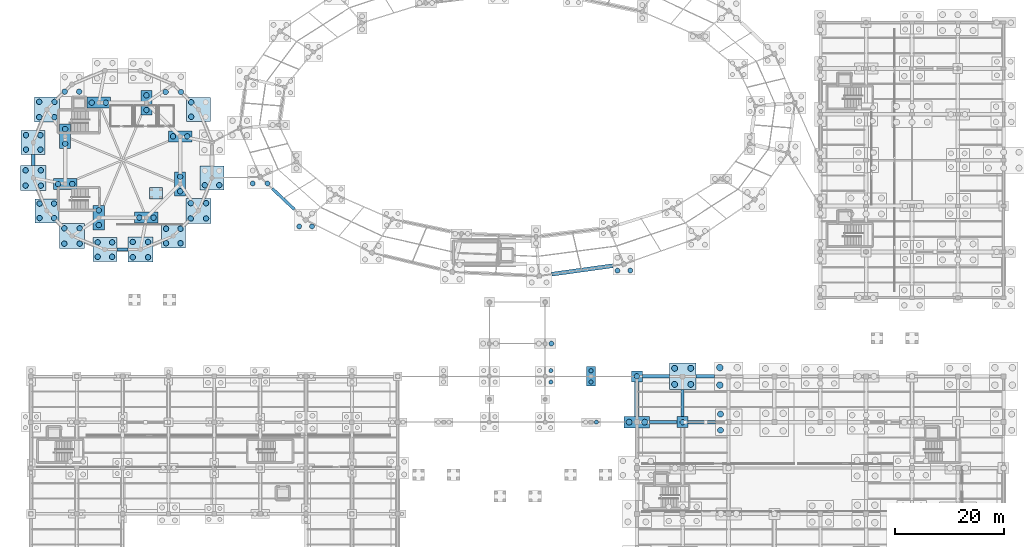
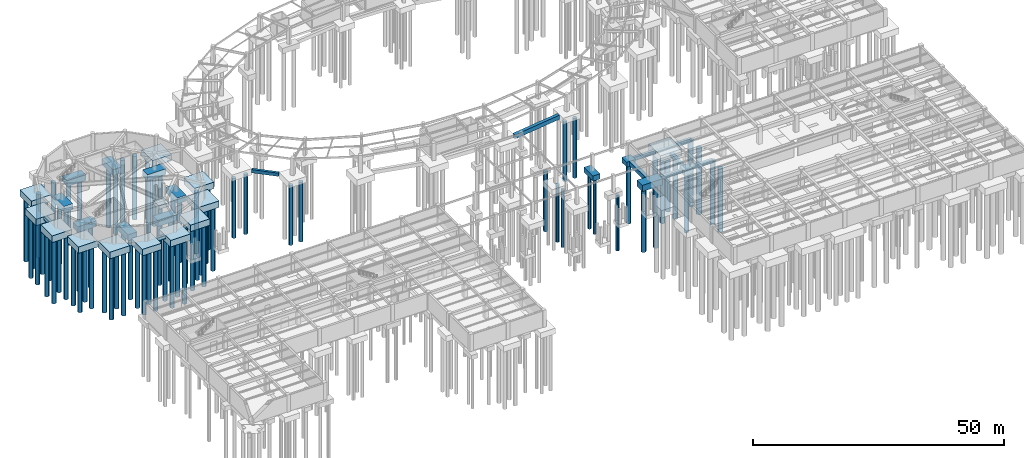
# One storey, part 4 of 38: 84 piles, 35 footings.
"""IFC4 building model written with IfcOpenShell, lengths in metres."""

from ifc_helpers import new_model, si_unit, direction, frame, origin, origin_2d, place, context, subcontext, project, spatial, polyline, rectangle, circle, outline, extrude, material, material_profile, profile_set, type_object, element, save


model = new_model("IFC4")

# Units and contexts
model_context = context("Model", 3, precision=1e-05, world=origin(), true_north=direction((0.0, 1.0)))
body_context = subcontext(model_context, "Body", "Model", "MODEL_VIEW")
ifc_project = project(units=[si_unit("LENGTHUNIT", "METRE"), si_unit("AREAUNIT", "SQUARE_METRE"), si_unit("VOLUMEUNIT", "CUBIC_METRE"), si_unit("PLANEANGLEUNIT", "RADIAN"), si_unit("MASSUNIT", "GRAM", prefix="KILO"), si_unit("THERMODYNAMICTEMPERATUREUNIT", "KELVIN"), si_unit("POWERUNIT", "WATT")], contexts=[model_context])

# Site, building, storey
site_placement = place(None, origin())
site = spatial("IfcSite", under=ifc_project, at=site_placement, CompositionType="ELEMENT")
building_placement = place(site_placement, origin())
building = spatial("IfcBuilding", under=site, at=building_placement, Name="Darbajah Civic Hall", CompositionType="ELEMENT")
storey_placement = place(building_placement, frame((0.0, 0.0, -4.199951171875)))
storey = spatial("IfcBuildingStorey", under=building, at=storey_placement, Name="B01", CompositionType="ELEMENT", Elevation=-4.199951171875)

# Piles
ifc_material = material(Name="Concrete C45/55", Category="concrete")
ifc_material_profile_1 = material_profile(ifc_material, circle(Radius=0.5, at=origin_2d()), Name="BORED PILE D1000")
ifc_profile_set_1 = profile_set([ifc_material_profile_1], Name="Concrete C45/55")
pile_type_1 = type_object("IfcPileType", Name="BORED PILE D1000", PredefinedType="BORED", material=ifc_profile_set_1)
for number, where, z_axis, x_axis, name in (
    (1, (29.361328125, 89.553466796875, -1.449951171875), (0.0, 0.0, -1.0), (1.0, 0.0, 0.0), "B01 bored pile P-1000 V2D-01-1"),
    (2, (29.361328125, 92.20361328125, -1.449951171875), (0.0, 0.0, -1.0), (1.0, 0.0, 0.0), "B01 bored pile P-1000 V2D-01-3"),
):
    element("IfcPile", number, at=place(storey_placement, frame(where, z_axis=z_axis, x_axis=x_axis)), inside=storey, type_object=pile_type_1, Name=name, PredefinedType="BORED", context=body_context, shape_type="SweptSolid", body=[
        extrude(circle(Radius=0.5, at=origin_2d()), origin(), (0.0, 0.0, 1.0), 15.0),
    ])
for number, where, z_axis, x_axis, name in (
    (3, (24.678466796875, 94.086181640625, -1.5), (0.0, 0.0, -1.0), (1.0, 0.0, 0.0), "B01 bored pile P-1000 V2D-02-1"),
    (4, (27.478515625, 94.086181640625, -1.5), (0.0, 0.0, -1.0), (1.0, 0.0, 0.0), "B01 bored pile P-1000 V2D-02-2"),
):
    element("IfcPile", number, at=place(storey_placement, frame(where, z_axis=z_axis, x_axis=x_axis)), inside=storey, type_object=pile_type_1, Name=name, PredefinedType="BORED", context=body_context, shape_type="SweptSolid", body=[
        extrude(circle(Radius=0.5, at=origin_2d()), origin(), (0.0, 0.0, 1.0), 15.5),
    ])
for number, where, z_axis, x_axis, name in (
    (5, (6.196533203125, 94.161376953125, -1.449951171875), (0.0, 0.0, -1.0), (1.0, 0.0, 0.0), "B01 bored pile P-1000 V2D-05-1"),
    (6, (8.846435546875, 94.161376953125, -1.449951171875), (0.0, 0.0, -1.0), (1.0, 0.0, 0.0), "B01 bored pile P-1000 V2D-05-2"),
):
    element("IfcPile", number, at=place(storey_placement, frame(where, z_axis=z_axis, x_axis=x_axis)), inside=storey, type_object=pile_type_1, Name=name, PredefinedType="BORED", context=body_context, shape_type="SweptSolid", body=[
        extrude(circle(Radius=0.5, at=origin_2d()), origin(), (0.0, 0.0, 1.0), 15.0),
    ])
for number, where, z_axis, x_axis, name in (
    (7, (1.513671875, 89.478515625, -1.5), (0.0, 0.0, -1.0), (1.0, 0.0, 0.0), "B01 bored pile P-1000 V2D-06-1"),
    (8, (4.313720703125, 89.478515625, -1.5), (0.0, 0.0, -1.0), (1.0, 0.0, 0.0), "B01 bored pile P-1000 V2D-06-2"),
    (9, (1.513671875, 92.278564453125, -1.5), (0.0, 0.0, -1.0), (1.0, 0.0, 0.0), "B01 bored pile P-1000 V2D-06-3"),
    (10, (4.313720703125, 92.278564453125, -1.5), (0.0, 0.0, -1.0), (1.0, 0.0, 0.0), "B01 bored pile P-1000 V2D-06-4"),
):
    element("IfcPile", number, at=place(storey_placement, frame(where, z_axis=z_axis, x_axis=x_axis)), inside=storey, type_object=pile_type_1, Name=name, PredefinedType="BORED", context=body_context, shape_type="SweptSolid", body=[
        extrude(circle(Radius=0.5, at=origin_2d()), origin(), (0.0, 0.0, 1.0), 15.5),
    ])
for number, where, z_axis, x_axis, name in (
    (11, (-0.905029296875, 83.533203125, -1.449951171875), (0.0, 0.0, -1.0), (1.0, 0.0, 0.0), "B01 bored pile P-1000 V2D-07-1"),
    (12, (1.7451171875, 83.533203125, -1.449951171875), (0.0, 0.0, -1.0), (1.0, 0.0, 0.0), "B01 bored pile P-1000 V2D-07-2"),
    (13, (-0.905029296875, 86.18310546875, -1.449951171875), (0.0, 0.0, -1.0), (1.0, 0.0, 0.0), "B01 bored pile P-1000 V2D-07-3"),
    (14, (1.7451171875, 86.18310546875, -1.449951171875), (0.0, 0.0, -1.0), (1.0, 0.0, 0.0), "B01 bored pile P-1000 V2D-07-4"),
):
    element("IfcPile", number, at=place(storey_placement, frame(where, z_axis=z_axis, x_axis=x_axis)), inside=storey, type_object=pile_type_1, Name=name, PredefinedType="BORED", context=body_context, shape_type="SweptSolid", body=[
        extrude(circle(Radius=0.5, at=origin_2d()), origin(), (0.0, 0.0, 1.0), 15.0),
    ])
for number, where, z_axis, x_axis, name in (
    (15, (-0.97998046875, 76.94189453125, -1.5), (0.0, 0.0, -1.0), (1.0, 0.0, 0.0), "B01 bored pile P-1000 V2D-08-1"),
    (16, (1.820068359375, 76.94189453125, -1.5), (0.0, 0.0, -1.0), (1.0, 0.0, 0.0), "B01 bored pile P-1000 V2D-08-2"),
    (17, (-0.97998046875, 79.74169921875, -1.5), (0.0, 0.0, -1.0), (1.0, 0.0, 0.0), "B01 bored pile P-1000 V2D-08-3"),
    (18, (1.820068359375, 79.74169921875, -1.5), (0.0, 0.0, -1.0), (1.0, 0.0, 0.0), "B01 bored pile P-1000 V2D-08-4"),
):
    element("IfcPile", number, at=place(storey_placement, frame(where, z_axis=z_axis, x_axis=x_axis)), inside=storey, type_object=pile_type_1, Name=name, PredefinedType="BORED", context=body_context, shape_type="SweptSolid", body=[
        extrude(circle(Radius=0.5, at=origin_2d()), origin(), (0.0, 0.0, 1.0), 15.5),
    ])
for number, where, z_axis, x_axis, name in (
    (19, (1.588623046875, 70.99658203125, -1.449951171875), (0.0, 0.0, -1.0), (1.0, 0.0, 0.0), "B01 bored pile P-1000 V2D-09-1"),
    (20, (4.23876953125, 70.99658203125, -1.449951171875), (0.0, 0.0, -1.0), (1.0, 0.0, 0.0), "B01 bored pile P-1000 V2D-09-2"),
    (21, (1.588623046875, 73.646484375, -1.449951171875), (0.0, 0.0, -1.0), (1.0, 0.0, 0.0), "B01 bored pile P-1000 V2D-09-3"),
    (22, (4.23876953125, 73.646484375, -1.449951171875), (0.0, 0.0, -1.0), (1.0, 0.0, 0.0), "B01 bored pile P-1000 V2D-09-4"),
):
    element("IfcPile", number, at=place(storey_placement, frame(where, z_axis=z_axis, x_axis=x_axis)), inside=storey, type_object=pile_type_1, Name=name, PredefinedType="BORED", context=body_context, shape_type="SweptSolid", body=[
        extrude(circle(Radius=0.5, at=origin_2d()), origin(), (0.0, 0.0, 1.0), 15.0),
    ])
for number, where, z_axis, x_axis, name in (
    (23, (6.12158203125, 66.313720703125, -1.5), (0.0, 0.0, -1.0), (1.0, 0.0, 0.0), "B01 bored pile P-1000 V2D-10-1"),
    (24, (8.92138671875, 66.313720703125, -1.5), (0.0, 0.0, -1.0), (1.0, 0.0, 0.0), "B01 bored pile P-1000 V2D-10-2"),
    (25, (6.12158203125, 69.11376953125, -1.5), (0.0, 0.0, -1.0), (1.0, 0.0, 0.0), "B01 bored pile P-1000 V2D-10-3"),
    (26, (8.92138671875, 69.11376953125, -1.5), (0.0, 0.0, -1.0), (1.0, 0.0, 0.0), "B01 bored pile P-1000 V2D-10-4"),
):
    element("IfcPile", number, at=place(storey_placement, frame(where, z_axis=z_axis, x_axis=x_axis)), inside=storey, type_object=pile_type_1, Name=name, PredefinedType="BORED", context=body_context, shape_type="SweptSolid", body=[
        extrude(circle(Radius=0.5, at=origin_2d()), origin(), (0.0, 0.0, 1.0), 15.5),
    ])
for number, where, z_axis, x_axis, name in (
    (27, (12.216796875, 63.89501953125, -1.449951171875), (0.0, 0.0, -1.0), (1.0, 0.0, 0.0), "B01 bored pile P-1000 V2D-11-1"),
    (28, (14.86669921875, 63.89501953125, -1.449951171875), (0.0, 0.0, -1.0), (1.0, 0.0, 0.0), "B01 bored pile P-1000 V2D-11-2"),
    (29, (12.216796875, 66.544921875, -1.449951171875), (0.0, 0.0, -1.0), (1.0, 0.0, 0.0), "B01 bored pile P-1000 V2D-11-3"),
    (30, (14.86669921875, 66.544921875, -1.449951171875), (0.0, 0.0, -1.0), (1.0, 0.0, 0.0), "B01 bored pile P-1000 V2D-11-4"),
):
    element("IfcPile", number, at=place(storey_placement, frame(where, z_axis=z_axis, x_axis=x_axis)), inside=storey, type_object=pile_type_1, Name=name, PredefinedType="BORED", context=body_context, shape_type="SweptSolid", body=[
        extrude(circle(Radius=0.5, at=origin_2d()), origin(), (0.0, 0.0, 1.0), 15.0),
    ])
for number, where, z_axis, x_axis, name in (
    (31, (18.658203125, 63.820068359375, -1.5), (0.0, 0.0, -1.0), (1.0, 0.0, 0.0), "B01 bored pile P-1000 V2D-12-1"),
    (32, (21.458251953125, 63.820068359375, -1.5), (0.0, 0.0, -1.0), (1.0, 0.0, 0.0), "B01 bored pile P-1000 V2D-12-2"),
    (33, (18.658203125, 66.6201171875, -1.5), (0.0, 0.0, -1.0), (1.0, 0.0, 0.0), "B01 bored pile P-1000 V2D-12-3"),
    (34, (21.458251953125, 66.6201171875, -1.5), (0.0, 0.0, -1.0), (1.0, 0.0, 0.0), "B01 bored pile P-1000 V2D-12-4"),
):
    element("IfcPile", number, at=place(storey_placement, frame(where, z_axis=z_axis, x_axis=x_axis)), inside=storey, type_object=pile_type_1, Name=name, PredefinedType="BORED", context=body_context, shape_type="SweptSolid", body=[
        extrude(circle(Radius=0.5, at=origin_2d()), origin(), (0.0, 0.0, 1.0), 15.5),
    ])
for number, where, z_axis, x_axis, name in (
    (35, (24.75341796875, 66.388671875, -1.449951171875), (0.0, 0.0, -1.0), (1.0, 0.0, 0.0), "B01 bored pile P-1000 V2D-13-1"),
    (36, (27.403564453125, 66.388671875, -1.449951171875), (0.0, 0.0, -1.0), (1.0, 0.0, 0.0), "B01 bored pile P-1000 V2D-13-2"),
    (37, (24.75341796875, 69.038818359375, -1.449951171875), (0.0, 0.0, -1.0), (1.0, 0.0, 0.0), "B01 bored pile P-1000 V2D-13-3"),
    (38, (27.403564453125, 69.038818359375, -1.449951171875), (0.0, 0.0, -1.0), (1.0, 0.0, 0.0), "B01 bored pile P-1000 V2D-13-4"),
):
    element("IfcPile", number, at=place(storey_placement, frame(where, z_axis=z_axis, x_axis=x_axis)), inside=storey, type_object=pile_type_1, Name=name, PredefinedType="BORED", context=body_context, shape_type="SweptSolid", body=[
        extrude(circle(Radius=0.5, at=origin_2d()), origin(), (0.0, 0.0, 1.0), 15.0),
    ])
for number, where, z_axis, x_axis, name in (
    (39, (29.286376953125, 70.92138671875, -1.5), (0.0, 0.0, -1.0), (1.0, 0.0, 0.0), "B01 bored pile P-1000 V2D-14-1"),
    (40, (32.086181640625, 70.92138671875, -1.5), (0.0, 0.0, -1.0), (1.0, 0.0, 0.0), "B01 bored pile P-1000 V2D-14-2"),
    (41, (29.286376953125, 73.721435546875, -1.5), (0.0, 0.0, -1.0), (1.0, 0.0, 0.0), "B01 bored pile P-1000 V2D-14-3"),
    (42, (32.086181640625, 73.721435546875, -1.5), (0.0, 0.0, -1.0), (1.0, 0.0, 0.0), "B01 bored pile P-1000 V2D-14-4"),
):
    element("IfcPile", number, at=place(storey_placement, frame(where, z_axis=z_axis, x_axis=x_axis)), inside=storey, type_object=pile_type_1, Name=name, PredefinedType="BORED", context=body_context, shape_type="SweptSolid", body=[
        extrude(circle(Radius=0.5, at=origin_2d()), origin(), (0.0, 0.0, 1.0), 15.5),
    ])
for number, where, z_axis, x_axis, name in (
    (43, (31.85498046875, 77.016845703125, -1.449951171875), (0.0, 0.0, -1.0), (1.0, 0.0, 0.0), "B01 bored pile P-1000 V2D-15-1"),
    (44, (34.5048828125, 77.016845703125, -1.449951171875), (0.0, 0.0, -1.0), (1.0, 0.0, 0.0), "B01 bored pile P-1000 V2D-15-2"),
    (45, (26.0322265625, 85.962646484375, -1.300048828125), (0.0, 0.0, -1.0), (1.0, 0.0, 0.0), "B01 bored pile P-1000 V2G-00-1"),
    (46, (28.632080078125, 85.962646484375, -1.300048828125), (0.0, 0.0, -1.0), (1.0, 0.0, 0.0), "B01 bored pile P-1000 V2G-00-2"),
    (47, (21.16259765625, 90.7822265625, -1.35009765625), (0.0, 0.0, -1.0), (1.0, 0.0, 0.0), "B01 bored pile P-1000 V2G-01-1"),
    (48, (21.16259765625, 93.482177734375, -1.35009765625), (0.0, 0.0, -1.0), (1.0, 0.0, 0.0), "B01 bored pile P-1000 V2G-01-2"),
    (49, (11.137451171875, 92.132080078125, -1.300048828125), (0.0, 0.0, -1.0), (1.0, 0.0, 0.0), "B01 bored pile P-1000 V2G-02-1"),
    (50, (13.7373046875, 92.132080078125, -1.300048828125), (0.0, 0.0, -1.0), (1.0, 0.0, 0.0), "B01 bored pile P-1000 V2G-02-2"),
    (51, (6.267822265625, 84.612548828125, -1.35009765625), (0.0, 0.0, -1.0), (1.0, 0.0, 0.0), "B01 bored pile P-1000 V2G-03-1"),
    (52, (6.267822265625, 87.3125, -1.35009765625), (0.0, 0.0, -1.0), (1.0, 0.0, 0.0), "B01 bored pile P-1000 V2G-03-2"),
    (53, (4.9677734375, 77.2373046875, -1.300048828125), (0.0, 0.0, -1.0), (1.0, 0.0, 0.0), "B01 bored pile P-1000 V2G-04-1"),
    (54, (7.56787109375, 77.2373046875, -1.300048828125), (0.0, 0.0, -1.0), (1.0, 0.0, 0.0), "B01 bored pile P-1000 V2G-04-2"),
    (55, (12.4375, 69.7177734375, -1.35009765625), (0.0, 0.0, -1.0), (1.0, 0.0, 0.0), "B01 bored pile P-1000 V2G-05-1"),
    (56, (12.4375, 72.417724609375, -1.35009765625), (0.0, 0.0, -1.0), (1.0, 0.0, 0.0), "B01 bored pile P-1000 V2G-05-2"),
    (57, (19.862548828125, 71.06787109375, -1.300048828125), (0.0, 0.0, -1.0), (1.0, 0.0, 0.0), "B01 bored pile P-1000 V2G-06-1"),
    (58, (22.462646484375, 71.06787109375, -1.300048828125), (0.0, 0.0, -1.0), (1.0, 0.0, 0.0), "B01 bored pile P-1000 V2G-06-2"),
    (59, (27.332275390625, 75.887451171875, -1.35009765625), (0.0, 0.0, -1.0), (1.0, 0.0, 0.0), "B01 bored pile P-1000 V2G-07-1"),
    (60, (27.332275390625, 78.58740234375, -1.35009765625), (0.0, 0.0, -1.0), (1.0, 0.0, 0.0), "B01 bored pile P-1000 V2G-07-2"),
):
    element("IfcPile", number, at=place(storey_placement, frame(where, z_axis=z_axis, x_axis=x_axis)), inside=storey, type_object=pile_type_1, Name=name, PredefinedType="BORED", context=body_context, shape_type="SweptSolid", body=[
        extrude(circle(Radius=0.5, at=origin_2d()), origin(), (0.0, 0.0, 1.0), 15.0),
    ])
for number, where, z_axis, x_axis, name in (
    (61, (111.0, 42.0, -1.10009765625), (0.0, 0.0, -1.0), (1.0, 0.0, 0.0), "B01 bored pile P-1000 V3-00-05-1"),
    (62, (119.39990234375, 33.60009765625, -1.10009765625), (0.0, 0.0, -1.0), (1.0, 0.0, 0.0), "B01 bored pile P-1000 V3-01-04-1"),
):
    element("IfcPile", number, at=place(storey_placement, frame(where, z_axis=z_axis, x_axis=x_axis)), inside=storey, type_object=pile_type_1, Name=name, PredefinedType="BORED", context=body_context, shape_type="SweptSolid", body=[
        extrude(circle(Radius=0.5, at=origin_2d()), origin(), (0.0, 0.0, 1.0), 14.5),
    ])
ifc_material_profile_2 = material_profile(ifc_material, circle(Radius=0.550048828125, at=origin_2d()), Name="BORED PILE D1100")
ifc_profile_set_2 = profile_set([ifc_material_profile_2], Name="Concrete C45/55")
pile_type_2 = type_object("IfcPileType", Name="BORED PILE D1100", PredefinedType="BORED", material=ifc_profile_set_2)
for number, where, z_axis, x_axis, name in (
    (63, (109.574951171875, 33.60009765625, -1.400146484375), (0.0, 0.0, -1.0), (1.0, 0.0, 0.0), "B01 bored pile P-1100 V3-00-04-1"),
    (64, (112.425048828125, 33.60009765625, -1.400146484375), (0.0, 0.0, -1.0), (1.0, 0.0, 0.0), "B01 bored pile P-1100 V3-00-04-2"),
    (65, (117.925048828125, 40.52490234375, -1.550048828125), (0.0, 0.0, -1.0), (1.0, 0.0, 0.0), "B01 bored pile P-1100 V3-01-05-1"),
    (66, (120.875, 40.52490234375, -1.550048828125), (0.0, 0.0, -1.0), (1.0, 0.0, 0.0), "B01 bored pile P-1100 V3-01-05-2"),
    (67, (117.925048828125, 43.47509765625, -1.550048828125), (0.0, 0.0, -1.0), (1.0, 0.0, 0.0), "B01 bored pile P-1100 V3-01-05-3"),
    (68, (120.875, 43.47509765625, -1.550048828125), (0.0, 0.0, -1.0), (1.0, 0.0, 0.0), "B01 bored pile P-1100 V3-01-05-4"),
    (69, (126.324951171875, 32.125, -1.550048828125), (0.0, 0.0, -1.0), (1.0, 0.0, 0.0), "B01 bored pile P-1100 V3-02-04-1"),
    (70, (126.324951171875, 35.074951171875, -1.550048828125), (0.0, 0.0, -1.0), (1.0, 0.0, 0.0), "B01 bored pile P-1100 V3-02-04-3"),
):
    element("IfcPile", number, at=place(storey_placement, frame(where, z_axis=z_axis, x_axis=x_axis)), inside=storey, type_object=pile_type_2, Name=name, PredefinedType="BORED", context=body_context, shape_type="SweptSolid", body=[
        extrude(circle(Radius=0.550048828125, at=origin_2d()), origin(), (0.0, 0.0, 1.0), 15.5),
    ])
ifc_material_profile_3 = material_profile(ifc_material, circle(Radius=0.60009765625, at=origin_2d()), Name="BORED PILE D1200")
ifc_profile_set_3 = profile_set([ifc_material_profile_3], Name="Concrete C45/55")
pile_type_3 = type_object("IfcPileType", Name="BORED PILE D1200", PredefinedType="BORED", material=ifc_profile_set_3)
for number, where, z_axis, x_axis, name in (
    (71, (126.199951171875, 40.39990234375, -1.650146484375), (0.0, 0.0, -1.0), (1.0, 0.0, 0.0), "B01 bored pile P-1200 V3-02-05-1"),
    (72, (126.199951171875, 43.60009765625, -1.650146484375), (0.0, 0.0, -1.0), (1.0, 0.0, 0.0), "B01 bored pile P-1200 V3-02-05-3"),
):
    element("IfcPile", number, at=place(storey_placement, frame(where, z_axis=z_axis, x_axis=x_axis)), inside=storey, type_object=pile_type_3, Name=name, PredefinedType="BORED", context=body_context, shape_type="SweptSolid", body=[
        extrude(circle(Radius=0.60009765625, at=origin_2d()), origin(), (0.0, 0.0, 1.0), 16.0),
    ])
ifc_material_profile_4 = material_profile(ifc_material, circle(Radius=0.375, at=origin_2d()), Name="BORED PILE D750")
ifc_profile_set_4 = profile_set([ifc_material_profile_4], Name="Concrete C45/55")
pile_type_4 = type_object("IfcPileType", Name="BORED PILE D750", PredefinedType="BORED", material=ifc_profile_set_4)
for number, where, z_axis, x_axis, name in (
    (73, (95.25, 40.949951171875, -1.300048828125), (0.0, 0.0, -1.0), (1.0, 0.0, 0.0), "B01 bored pile P-750 V6S-08-2"),
    (74, (95.25, 43.050048828125, -1.300048828125), (0.0, 0.0, -1.0), (1.0, 0.0, 0.0), "B01 bored pile P-750 V6S-08-4"),
):
    element("IfcPile", number, at=place(storey_placement, frame(where, z_axis=z_axis, x_axis=x_axis)), inside=storey, type_object=pile_type_4, Name=name, PredefinedType="BORED", context=body_context, shape_type="SweptSolid", body=[
        extrude(circle(Radius=0.375, at=origin_2d()), origin(), (0.0, 0.0, 1.0), 14.0),
    ])
for number, where, z_axis, x_axis, name in (
    (75, (103.574951171875, 33.60009765625, -1.10009765625), (0.0, 0.0, -1.0), (1.0, 0.0, 0.0), "B01 bored pile P-750 V6S-11-2"),
    (76, (102.60009765625, 40.97509765625, -1.150146484375), (0.0, 0.0, -1.0), (1.0, 0.0, 0.0), "B01 bored pile P-750 V6S-12-1"),
    (77, (102.60009765625, 43.02490234375, -1.150146484375), (0.0, 0.0, -1.0), (1.0, 0.0, 0.0), "B01 bored pile P-750 V6S-12-2"),
):
    element("IfcPile", number, at=place(storey_placement, frame(where, z_axis=z_axis, x_axis=x_axis)), inside=storey, type_object=pile_type_4, Name=name, PredefinedType="BORED", context=body_context, shape_type="SweptSolid", body=[
        extrude(circle(Radius=0.375, at=origin_2d()), origin(), (0.0, 0.0, 1.0), 13.5),
    ])
ifc_material_profile_5 = material_profile(ifc_material, circle(Radius=0.449951171875, at=origin_2d()), Name="BORED PILE D900")
ifc_profile_set_5 = profile_set([ifc_material_profile_5], Name="Concrete C45/55")
pile_type_5 = type_object("IfcPileType", Name="BORED PILE D900", PredefinedType="BORED", material=ifc_profile_set_5)
for number, where, z_axis, x_axis, name in (
    (78, (40.632080078125, 77.335693359375, -1.420166015625), (0.0, 0.0, -1.0), (1.0, 0.0, 0.0), "B01 bored pile P-900 V1O-11-1"),
    (79, (43.33203125, 77.335693359375, -1.420166015625), (0.0, 0.0, -1.0), (1.0, 0.0, 0.0), "B01 bored pile P-900 V1O-11-2"),
    (80, (49.144287109375, 69.46630859375, -1.35009765625), (0.0, 0.0, -1.0), (1.0, 0.0, 0.0), "B01 bored pile P-900 V1O-12-1"),
    (81, (51.494384765625, 69.46630859375, -1.35009765625), (0.0, 0.0, -1.0), (1.0, 0.0, 0.0), "B01 bored pile P-900 V1O-12-2"),
    (82, (107.44189453125, 61.37060546875, -1.35009765625), (0.0, 0.0, -1.0), (1.0, 0.0, 0.0), "B01 bored pile P-900 V1O-16-1"),
    (83, (109.7919921875, 61.37060546875, -1.35009765625), (0.0, 0.0, -1.0), (1.0, 0.0, 0.0), "B01 bored pile P-900 V1O-16-2"),
    (84, (95.35009765625, 48.0, -1.199951171875), (0.0, 0.0, -1.0), (1.0, 0.0, 0.0), "B01 bored pile P-900 V6S-09-2"),
):
    element("IfcPile", number, at=place(storey_placement, frame(where, z_axis=z_axis, x_axis=x_axis)), inside=storey, type_object=pile_type_5, Name=name, PredefinedType="BORED", context=body_context, shape_type="SweptSolid", body=[
        extrude(circle(Radius=0.449951171875, at=origin_2d()), origin(), (0.0, 0.0, 1.0), 14.5),
    ])

# Footings
footing_type_1 = type_object("IfcFootingType", Name="Ground Strip Footing 550x800", PredefinedType="STRIP_FOOTING", material=ifc_material)
footing_1_placement = place(storey_placement, frame((0.0, 0.0, -0.800048828125)))
element("IfcFooting", 85, at=footing_1_placement, inside=storey, type_object=footing_type_1, Name="B01 ground strip footing SF-06", PredefinedType="STRIP_FOOTING", context=body_context, shape_type="SweptSolid", body=[
    extrude(outline(polyline([(44.035888671875, 76.194091796875), (48.07080078125, 72.385498046875), (48.448486328125, 72.785400390625), (44.413330078125, 76.593994140625), (44.035888671875, 76.194091796875)])), origin(), (0.0, 0.0, 1.0), 0.800048828125),
])
footing_2_placement = place(storey_placement, frame((0.0, 0.0, -0.800048828125)))
element("IfcFooting", 86, at=footing_2_placement, inside=storey, type_object=footing_type_1, Name="B01 ground strip footing SF-06", PredefinedType="STRIP_FOOTING", context=body_context, shape_type="SweptSolid", body=[
    extrude(outline(polyline([(15.746826171875, 64.945068359375), (17.753173828125, 64.945068359375), (17.753173828125, 65.4951171875), (15.746826171875, 65.4951171875), (15.746826171875, 64.945068359375)])), origin(), (0.0, 0.0, 1.0), 0.800048828125),
])
footing_3_placement = place(storey_placement, frame((0.0, 0.0, -0.800048828125)))
element("IfcFooting", 87, at=footing_3_placement, inside=storey, type_object=footing_type_1, Name="B01 ground strip footing SF-06", PredefinedType="STRIP_FOOTING", context=body_context, shape_type="SweptSolid", body=[
    extrude(outline(polyline([(119.675048828125, 34.60498046875), (119.675048828125, 39.570068359375), (119.125, 39.570068359375), (119.125, 34.60498046875), (119.675048828125, 34.60498046875)])), origin(), (0.0, 0.0, 1.0), 0.800048828125),
])
footing_4_placement = place(storey_placement, frame((0.0, 0.0, -0.800048828125)))
element("IfcFooting", 88, at=footing_4_placement, inside=storey, type_object=footing_type_1, Name="B01 ground strip footing SF-06", PredefinedType="STRIP_FOOTING", context=body_context, shape_type="SweptSolid", body=[
    extrude(outline(polyline([(113.330078125, 33.324951171875), (118.39501953125, 33.324951171875), (118.39501953125, 33.875), (113.330078125, 33.875), (113.330078125, 33.324951171875)])), origin(), (0.0, 0.0, 1.0), 0.800048828125),
])
footing_5_placement = place(storey_placement, frame((0.0, 0.0, -0.85009765625)))
element("IfcFooting", 89, at=footing_5_placement, inside=storey, type_object=footing_type_1, Name="B01 ramp RMP-DAIS TOP foundation", PredefinedType="STRIP_FOOTING", context=body_context, shape_type="SweptSolid", body=[
    extrude(outline(polyline([(21.719970703125, 74.449951171875), (24.070068359375, 74.449951171875), (24.070068359375, 76.550048828125), (21.719970703125, 76.550048828125), (21.719970703125, 74.449951171875)])), origin(), (0.0, 0.0, 1.0), 0.85009765625),
])
footing_type_2 = type_object("IfcFootingType", Name="Ground Strip Footing 600x850", PredefinedType="STRIP_FOOTING", material=ifc_material)
footing_6_placement = place(storey_placement, frame((0.0, 0.0, -0.85009765625)))
element("IfcFooting", 90, at=footing_6_placement, inside=storey, type_object=footing_type_2, Name="B01 ground strip footing SF-01", PredefinedType="STRIP_FOOTING", context=body_context, shape_type="SweptSolid", body=[
    extrude(outline(polyline([(112.0048828125, 41.699951171875), (116.969970703125, 41.699951171875), (116.969970703125, 42.300048828125), (112.0048828125, 42.300048828125), (112.0048828125, 41.699951171875)])), origin(), (0.0, 0.0, 1.0), 0.85009765625),
])
footing_7_placement = place(storey_placement, frame((0.0, 0.0, -0.85009765625)))
element("IfcFooting", 91, at=footing_7_placement, inside=storey, type_object=footing_type_2, Name="B01 ground strip footing SF-01", PredefinedType="STRIP_FOOTING", context=body_context, shape_type="SweptSolid", body=[
    extrude(outline(polyline([(120.405029296875, 33.300048828125), (125.3701171875, 33.300048828125), (125.3701171875, 33.89990234375), (120.405029296875, 33.89990234375), (120.405029296875, 33.300048828125)])), origin(), (0.0, 0.0, 1.0), 0.85009765625),
])
footing_type_3 = type_object("IfcFootingType", Name="Ground Strip Footing 650x900", PredefinedType="STRIP_FOOTING", material=ifc_material)
footing_8_placement = place(storey_placement, frame((0.0, 0.0, -0.900146484375)))
element("IfcFooting", 92, at=footing_8_placement, inside=storey, type_object=footing_type_3, Name="B01 ground strip footing SF-02", PredefinedType="STRIP_FOOTING", context=body_context, shape_type="SweptSolid", body=[
    extrude(outline(polyline([(0.094970703125, 82.6533203125), (0.094970703125, 80.646728515625), (0.7451171875, 80.646728515625), (0.7451171875, 82.6533203125), (0.094970703125, 82.6533203125)])), origin(), (0.0, 0.0, 1.0), 0.900146484375),
])
footing_9_placement = place(storey_placement, frame((0.0, 0.0, -0.900146484375)))
element("IfcFooting", 93, at=footing_9_placement, inside=storey, type_object=footing_type_3, Name="B01 ground strip footing SF-02", PredefinedType="STRIP_FOOTING", context=body_context, shape_type="SweptSolid", body=[
    extrude(outline(polyline([(121.830078125, 41.675048828125), (125.195068359375, 41.675048828125), (125.195068359375, 42.324951171875), (121.830078125, 42.324951171875), (121.830078125, 41.675048828125)])), origin(), (0.0, 0.0, 1.0), 0.900146484375),
])
footing_type_4 = type_object("IfcFootingType", Name="Ground Strip Footing 750x1000", PredefinedType="STRIP_FOOTING", material=ifc_material)
footing_10_placement = place(storey_placement, frame((0.0, 0.0, -1.0)))
element("IfcFooting", 94, at=footing_10_placement, inside=storey, type_object=footing_type_4, Name="B01 ground strip footing SF-04", PredefinedType="STRIP_FOOTING", context=body_context, shape_type="SweptSolid", body=[
    extrude(outline(polyline([(95.484619140625, 60.34326171875), (106.61181640625, 61.888671875), (106.5087890625, 62.63134765625), (95.38134765625, 61.086181640625), (95.484619140625, 60.34326171875)])), origin(), (0.0, 0.0, 1.0), 1.0),
])
footing_type_5 = type_object("IfcFootingType", Name="Ground Strip Footing 800x1050", PredefinedType="STRIP_FOOTING", material=ifc_material)
footing_11_placement = place(storey_placement, frame((0.0, 0.0, -1.050048828125)))
element("IfcFooting", 95, at=footing_11_placement, inside=storey, type_object=footing_type_5, Name="B01 ground strip footing SF-05", PredefinedType="STRIP_FOOTING", context=body_context, shape_type="SweptSolid", body=[
    extrude(outline(polyline([(111.39990234375, 34.679931640625), (111.39990234375, 40.9951171875), (110.60009765625, 40.9951171875), (110.60009765625, 34.679931640625), (111.39990234375, 34.679931640625)])), origin(), (0.0, 0.0, 1.0), 1.050048828125),
])
footing_type_6 = type_object("IfcFootingType", Name="Pile Cap 1600x3550x1250", PredefinedType="PILE_CAP", material=ifc_material)
footing_12_placement = place(storey_placement, frame((102.60009765625, 42.0, -1.25), z_axis=(0.0, 0.0, 1.0), x_axis=(1.0, 0.0, 0.0)))
element("IfcFooting", 96, at=footing_12_placement, inside=storey, type_object=footing_type_6, Name="B01 pile cap PC-2B at V6S-12", PredefinedType="PILE_CAP", context=body_context, shape_type="SweptSolid", body=[
    extrude(rectangle(XDim=1.60009765625, YDim=3.550048828125, at=origin_2d()), origin(), (0.0, 0.0, 1.0), 1.25),
])
footing_type_7 = type_object("IfcFootingType", Name="Pile Cap 2000x2000x1200", PredefinedType="PILE_CAP", material=ifc_material)
for number, where, z_axis, x_axis, name in (
    (97, (111.0, 42.0, -1.2001953125), (0.0, 0.0, 1.0), (1.0, 0.0, 0.0), "B01 pile cap PC-1C at V3-00-05"),
    (98, (119.39990234375, 33.60009765625, -1.2001953125), (0.0, 0.0, 1.0), (1.0, 0.0, 0.0), "B01 pile cap PC-1C at V3-01-04"),
):
    element("IfcFooting", number, at=place(storey_placement, frame(where, z_axis=z_axis, x_axis=x_axis)), inside=storey, type_object=footing_type_7, Name=name, PredefinedType="PILE_CAP", context=body_context, shape_type="SweptSolid", body=[
        extrude(rectangle(XDim=2.0, YDim=2.0, at=origin_2d()), origin(), (0.0, 0.0, 1.0), 1.199951171875),
    ])
footing_type_8 = type_object("IfcFootingType", Name="Pile Cap 2050x4450x1450", PredefinedType="PILE_CAP", material=ifc_material)
for number, where, z_axis, x_axis, name in (
    (99, (21.16259765625, 92.132080078125, -1.4501953125), (0.0, 0.0, 1.0), (1.0, 0.0, 0.0), "B01 pile cap PC-2F at V2G-01"),
    (100, (6.267822265625, 85.962646484375, -1.4501953125), (0.0, 0.0, 1.0), (1.0, 0.0, 0.0), "B01 pile cap PC-2F at V2G-03"),
    (101, (12.4375, 71.06787109375, -1.4501953125), (0.0, 0.0, 1.0), (1.0, 0.0, 0.0), "B01 pile cap PC-2F at V2G-05"),
    (102, (27.332275390625, 77.2373046875, -1.4501953125), (0.0, 0.0, 1.0), (1.0, 0.0, 0.0), "B01 pile cap PC-2F at V2G-07"),
):
    element("IfcFooting", number, at=place(storey_placement, frame(where, z_axis=z_axis, x_axis=x_axis)), inside=storey, type_object=footing_type_8, Name=name, PredefinedType="PILE_CAP", context=body_context, shape_type="SweptSolid", body=[
        extrude(rectangle(XDim=2.050048828125, YDim=4.449951171875, at=origin_2d()), origin(), (0.0, 0.0, 1.0), 1.449951171875),
    ])
footing_type_9 = type_object("IfcFootingType", Name="Pile Cap 4300x2000x1400", PredefinedType="PILE_CAP", material=ifc_material)
for number, where, z_axis, x_axis, name in (
    (103, (27.332275390625, 85.962646484375, -1.39990234375), (0.0, 0.0, 1.0), (1.0, 0.0, 0.0), "B01 pile cap PC-2E at V2G-00"),
    (104, (12.4375, 92.132080078125, -1.39990234375), (0.0, 0.0, 1.0), (1.0, 0.0, 0.0), "B01 pile cap PC-2E at V2G-02"),
    (105, (6.267822265625, 77.2373046875, -1.39990234375), (0.0, 0.0, 1.0), (1.0, 0.0, 0.0), "B01 pile cap PC-2E at V2G-04"),
    (106, (21.16259765625, 71.06787109375, -1.39990234375), (0.0, 0.0, 1.0), (1.0, 0.0, 0.0), "B01 pile cap PC-2E at V2G-06"),
):
    element("IfcFooting", number, at=place(storey_placement, frame(where, z_axis=z_axis, x_axis=x_axis)), inside=storey, type_object=footing_type_9, Name=name, PredefinedType="PILE_CAP", context=body_context, shape_type="SweptSolid", body=[
        extrude(rectangle(XDim=4.300048828125, YDim=2.0, at=origin_2d()), origin(), (0.0, 0.0, 1.0), 1.39990234375),
    ])
footing_type_10 = type_object("IfcFootingType", Name="Pile Cap 4400x4400x1550", PredefinedType="PILE_CAP", material=ifc_material)
for number, where, z_axis, x_axis, name in (
    (107, (30.686279296875, 90.87841796875, -1.55029296875), (0.0, 0.0, 1.0), (1.0, 0.0, 0.0), "B01 pile cap PC-4E at V2D-01"),
    (108, (0.419921875, 84.858154296875, -1.55029296875), (0.0, 0.0, 1.0), (1.0, 0.0, 0.0), "B01 pile cap PC-4E at V2D-07"),
    (109, (2.913818359375, 72.321533203125, -1.55029296875), (0.0, 0.0, 1.0), (1.0, 0.0, 0.0), "B01 pile cap PC-4E at V2D-09"),
    (110, (13.541748046875, 65.219970703125, -1.55029296875), (0.0, 0.0, 1.0), (1.0, 0.0, 0.0), "B01 pile cap PC-4E at V2D-11"),
    (111, (26.07861328125, 67.713623046875, -1.55029296875), (0.0, 0.0, 1.0), (1.0, 0.0, 0.0), "B01 pile cap PC-4E at V2D-13"),
    (112, (33.179931640625, 78.341796875, -1.55029296875), (0.0, 0.0, 1.0), (1.0, 0.0, 0.0), "B01 pile cap PC-4E at V2D-15"),
):
    element("IfcFooting", number, at=place(storey_placement, frame(where, z_axis=z_axis, x_axis=x_axis)), inside=storey, type_object=footing_type_10, Name=name, PredefinedType="PILE_CAP", context=body_context, shape_type="SweptSolid", body=[
        extrude(rectangle(XDim=4.39990234375, YDim=4.39990234375, at=origin_2d()), origin(), (0.0, 0.0, 1.0), 1.550048828125),
    ])
footing_type_11 = type_object("IfcFootingType", Name="Pile Cap 4600x4600x1600", PredefinedType="PILE_CAP", material=ifc_material)
for number, where, z_axis, x_axis, name in (
    (113, (2.913818359375, 90.87841796875, -1.60009765625), (0.0, 0.0, 1.0), (1.0, 0.0, 0.0), "B01 pile cap PC-4F at V2D-06"),
    (114, (0.419921875, 78.341796875, -1.60009765625), (0.0, 0.0, 1.0), (1.0, 0.0, 0.0), "B01 pile cap PC-4F at V2D-08"),
    (115, (7.521484375, 67.713623046875, -1.60009765625), (0.0, 0.0, 1.0), (1.0, 0.0, 0.0), "B01 pile cap PC-4F at V2D-10"),
    (116, (20.05810546875, 65.219970703125, -1.60009765625), (0.0, 0.0, 1.0), (1.0, 0.0, 0.0), "B01 pile cap PC-4F at V2D-12"),
    (117, (30.686279296875, 72.321533203125, -1.60009765625), (0.0, 0.0, 1.0), (1.0, 0.0, 0.0), "B01 pile cap PC-4F at V2D-14"),
):
    element("IfcFooting", number, at=place(storey_placement, frame(where, z_axis=z_axis, x_axis=x_axis)), inside=storey, type_object=footing_type_11, Name=name, PredefinedType="PILE_CAP", context=body_context, shape_type="SweptSolid", body=[
        extrude(rectangle(XDim=4.60009765625, YDim=4.60009765625, at=origin_2d()), origin(), (0.0, 0.0, 1.0), 1.60009765625),
    ])
footing_type_12 = type_object("IfcFootingType", Name="Pile Cap 4650x2150x1500", PredefinedType="PILE_CAP", material=ifc_material)
footing_13_placement = place(storey_placement, frame((111.0, 33.60009765625, -1.5), z_axis=(0.0, 0.0, 1.0), x_axis=(1.0, 0.0, 0.0)))
element("IfcFooting", 118, at=footing_13_placement, inside=storey, type_object=footing_type_12, Name="B01 pile cap PC-2G at V3-00-04", PredefinedType="PILE_CAP", context=body_context, shape_type="SweptSolid", body=[
    extrude(rectangle(XDim=4.64990234375, YDim=2.14990234375, at=origin_2d()), origin(), (0.0, 0.0, 1.0), 1.5),
])
footing_type_13 = type_object("IfcFootingType", Name="Pile Cap 4850x4850x1650", PredefinedType="PILE_CAP", material=ifc_material)
footing_14_placement = place(storey_placement, frame((119.39990234375, 42.0, -1.64990234375), z_axis=(0.0, 0.0, 1.0), x_axis=(1.0, 0.0, 0.0)))
element("IfcFooting", 119, at=footing_14_placement, inside=storey, type_object=footing_type_13, Name="B01 pile cap PC-4G at V3-01-05", PredefinedType="PILE_CAP", context=body_context, shape_type="SweptSolid", body=[
    extrude(rectangle(XDim=4.85009765625, YDim=4.85009765625, at=origin_2d()), origin(), (0.0, 0.0, 1.0), 1.64990234375),
])

save(model, "model.ifc")
